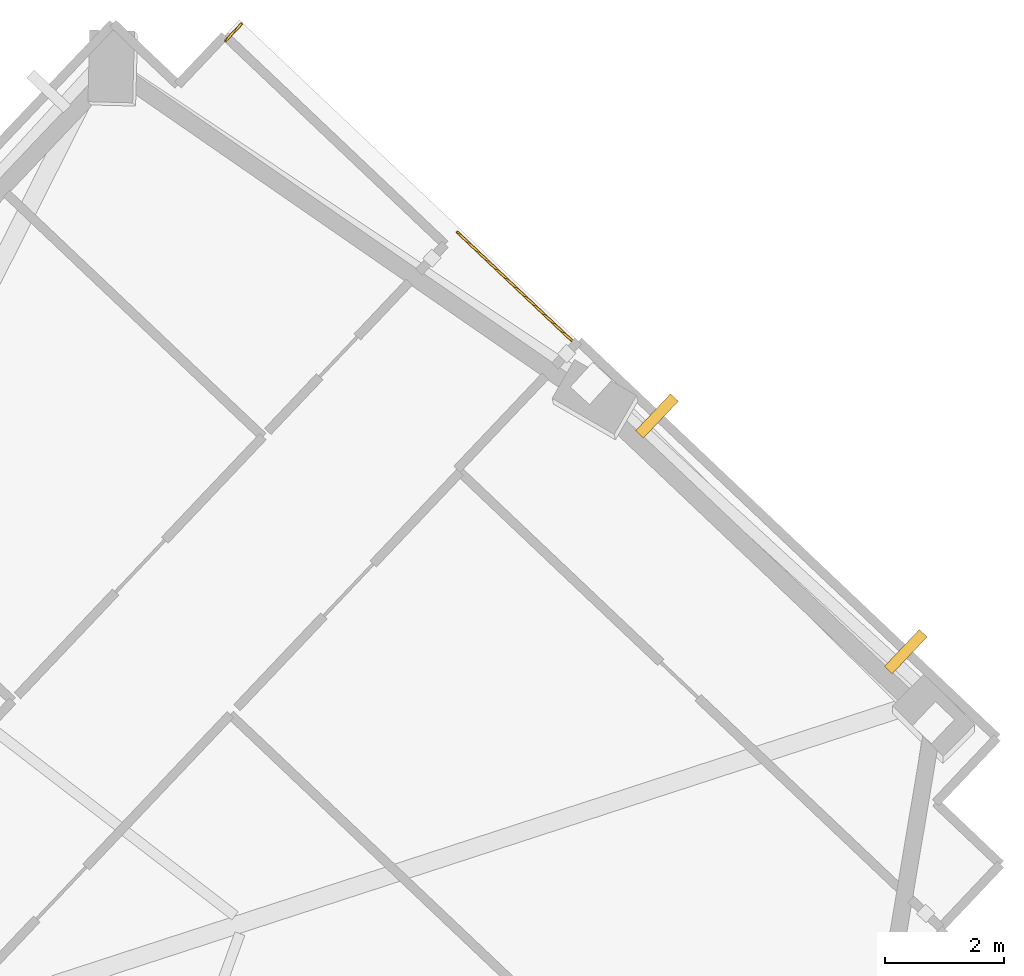
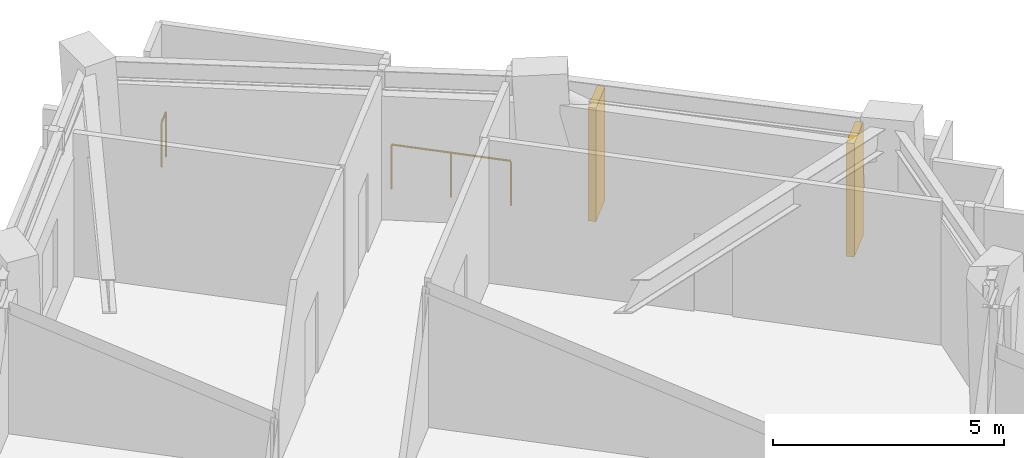
# One storey, part 12 of 12: 2 railings, 2 shading devices.
"""IFC4 building model written with IfcOpenShell, lengths in metres."""

from ifc_helpers import new_model, si_unit, direction, frame, origin, origin_2d, place, context, subcontext, project, spatial, rectangle, circle, extrude, material, layer, layer_set, type_object, element, save


model = new_model("IFC4")

# Units and contexts
model_context = context("Model", 3, precision=1e-05, world=origin(), true_north=direction((0.0, 1.0)))
body_context = subcontext(model_context, "Body", "Model", "MODEL_VIEW")
ifc_project = project(units=[si_unit("LENGTHUNIT", "METRE"), si_unit("AREAUNIT", "SQUARE_METRE"), si_unit("VOLUMEUNIT", "CUBIC_METRE"), si_unit("PLANEANGLEUNIT", "RADIAN"), si_unit("MASSUNIT", "GRAM", prefix="KILO")], contexts=[model_context])

# Site, building, storey
site_placement = place(None, origin())
site = spatial("IfcSite", under=ifc_project, at=site_placement, CompositionType="ELEMENT")
building_placement = place(site_placement, origin())
building = spatial("IfcBuilding", under=site, at=building_placement, Name="Gaonmaruhae Medical Tower", CompositionType="ELEMENT")
storey_placement = place(building_placement, frame((0.0, 0.0, 223.199951171875)))
storey = spatial("IfcBuildingStorey", under=building, at=storey_placement, Name="L53", CompositionType="ELEMENT", Elevation=223.199951171875)

# Railings
ifc_material_1 = material(Name="Stainless steel 316L and laminated safety glass", Category="steel")
ifc_layer = layer(ifc_material_1, 0.080078125)
ifc_layer_set = layer_set([ifc_layer], Name="Stainless steel 316L and laminated safety glass")
railing_type = type_object("IfcRailingType", Name="GD-120 Outdoor Terrace Safety Glass & Steel Balustrade", PredefinedType="BALUSTRADE", material=ifc_layer_set)
railing_1_placement = place(storey_placement, frame((46.864990234375, 35.356689453125, 0.0)))
element("IfcRailing", 1, at=railing_1_placement, inside=storey, type_object=railing_type, Name="L53 Perimeter Slab Edge Safety Balustrade 01", PredefinedType="BALUSTRADE", context=body_context, shape_type="SweptSolid", body=[
    extrude(circle(Radius=0.02392578125, at=origin_2d()), frame((0.0, 0.0, 1.17578125), z_axis=(0.687606929335, 0.726083129352, 0.0), x_axis=(-0.726083129352, 0.687606929335, 0.0)), (0.0, 0.0, 1.0), 0.393310546875),
    extrude(circle(Radius=0.02099609375, at=origin_2d()), origin(), (0.0, 0.0, 1.0), 1.15185546875),
    extrude(circle(Radius=0.02099609375, at=origin_2d()), frame((0.2705078125, 0.28564453125, 0.0)), (0.0, 0.0, 1.0), 1.15185546875),
])
railing_2_placement = place(storey_placement, frame((50.751708984375, 32.147705078125, 0.0)))
element("IfcRailing", 2, at=railing_2_placement, inside=storey, type_object=railing_type, Name="L53 Perimeter Slab Edge Safety Balustrade 02", PredefinedType="BALUSTRADE", context=body_context, shape_type="SweptSolid", body=[
    extrude(circle(Radius=0.02392578125, at=origin_2d()), frame((0.0, 0.0, 1.17578125), z_axis=(0.726029860247, -0.687663174839, 0.0), x_axis=(0.687663174839, 0.726029860247, 0.0)), (0.0, 0.0, 1.0), 2.659912109375),
    extrude(circle(Radius=0.02099609375, at=origin_2d()), origin(), (0.0, 0.0, 1.0), 1.15185546875),
    extrude(circle(Radius=0.02099609375, at=origin_2d()), frame((0.965576171875, -0.91455078125, 0.0)), (0.0, 0.0, 1.0), 1.15185546875),
    extrude(circle(Radius=0.02099609375, at=origin_2d()), frame((1.93115234375, -1.8291015625, 0.0)), (0.0, 0.0, 1.0), 1.15185546875),
])

# Shading devices
ifc_material_2 = material(Name="Pigmented coral precast concrete C45/55", Category="concrete")
shading_device_type = type_object("IfcShadingDeviceType", Name="SD-FIN1 Tower Vertical Coral Precast Shading Fin", PredefinedType="USERDEFINED", material=ifc_material_2)
for number, where, z_axis, x_axis, name in (
    (3, (54.099609375, 29.06591796875, 0.132568359375), (0.0, 0.0, 1.0), (0.725974797422, -0.687721305114, 0.0), "L53 Vertical Coral Precast Shading Fin E01"),
    (4, (58.271240234375, 25.1142578125, 0.132568359375), (0.0, 0.0, 1.0), (0.725974797422, -0.687721305114, 0.0), "L53 Vertical Coral Precast Shading Fin E01B"),
):
    element("IfcShadingDevice", number, at=place(storey_placement, frame(where, z_axis=z_axis, x_axis=x_axis)), inside=storey, type_object=shading_device_type, Name=name, ObjectType="FIN", PredefinedType="USERDEFINED", context=body_context, shape_type="SweptSolid", body=[
        extrude(rectangle(XDim=0.179931640625, YDim=0.85009765625, at=origin_2d()), origin(), (0.0, 0.0, 1.0), 3.0),
    ])

save(model, "model.ifc")
